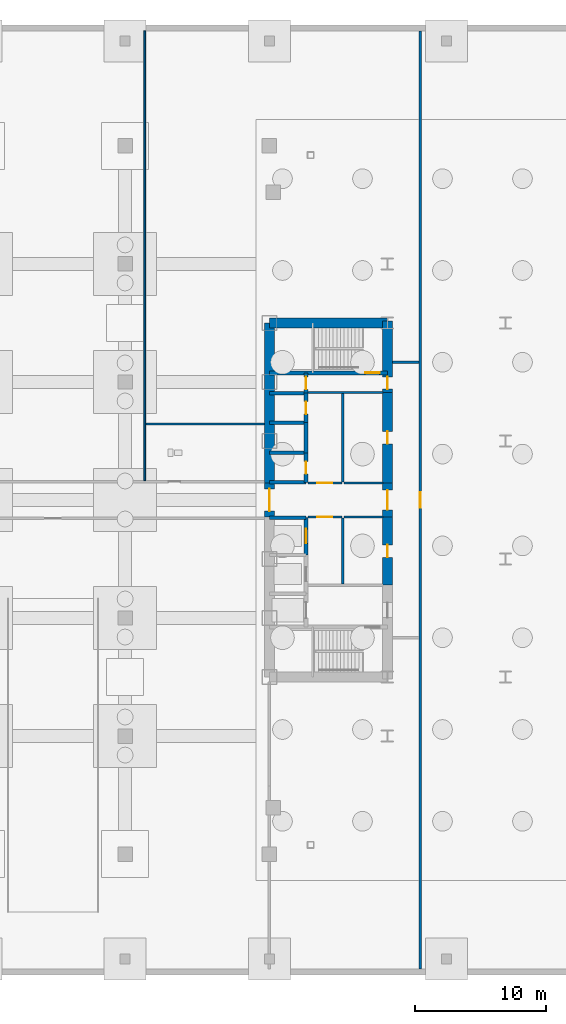
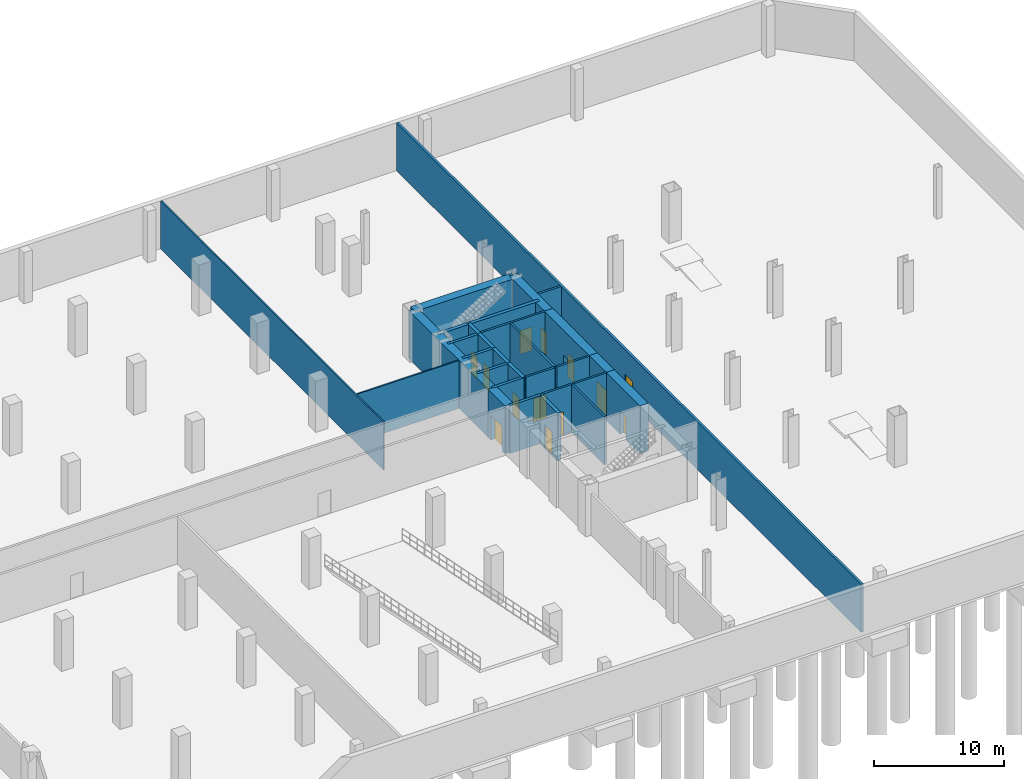
# One storey, part 14 of 18: 29 walls, 13 doors, 13 openings.
"""IFC4 building model written with IfcOpenShell, lengths in metres."""

from ifc_helpers import new_model, si_unit, direction, frame, frame_2d, origin, place, context, subcontext, project, spatial, rectangle, extrude, source, transform, mapped, material, layer, layer_set, type_object, type_shapes, element, fill, save


model = new_model("IFC4")

# Units and contexts
model_context = context("Model", 3, precision=1e-05, world=origin(), true_north=direction((0.0, 1.0)))
body_context = subcontext(model_context, "Body", "Model", "MODEL_VIEW")
ifc_project = project(units=[si_unit("LENGTHUNIT", "METRE"), si_unit("AREAUNIT", "SQUARE_METRE"), si_unit("VOLUMEUNIT", "CUBIC_METRE"), si_unit("PLANEANGLEUNIT", "RADIAN"), si_unit("MASSUNIT", "GRAM", prefix="KILO")], contexts=[model_context])

# Site, building, storey
site_placement = place(None, origin())
site = spatial("IfcSite", under=ifc_project, at=site_placement, CompositionType="ELEMENT")
building_placement = place(site_placement, origin())
building = spatial("IfcBuilding", under=site, at=building_placement, Name="Seokmaru Belvedere", CompositionType="ELEMENT")
storey_placement = place(building_placement, frame((0.0, 0.0, -9.60009765625)))
storey = spatial("IfcBuildingStorey", under=building, at=storey_placement, Name="B2", CompositionType="ELEMENT", Elevation=-9.60009765625)

# Walls
ifc_material_1 = material(Name="Fire-Rated Gypsum Shaftwall")
ifc_layer_1 = layer(ifc_material_1, 0.179931640625)
ifc_layer_set_1 = layer_set([ifc_layer_1], Name="Fire-Rated Gypsum Shaftwall")
wall_type_1 = type_object("IfcWallType", Name="Core Service Fire Partition 180", PredefinedType="PARTITIONING", material=ifc_layer_set_1)
wall_1_placement = place(storey_placement, frame((30.449951171875, 8.199951171875, 0.0), z_axis=(0.0, 0.0, 1.0), x_axis=(1.0, 0.0, 0.0)))
element("IfcWall", 1, at=wall_1_placement, inside=storey, type_object=wall_type_1, Name="B2 East Smokeproof Vestibule Partition", PredefinedType="PARTITIONING", context=body_context, shape_type="SweptSolid", body=[
    extrude(rectangle(XDim=5.699951171875, YDim=0.179931640625, at=frame_2d((2.85009765625, 0.0))), origin(), (0.0, 0.0, 1.0), 4.5),
])
wall_2_placement = place(storey_placement, frame((33.10009765625, -6.419921875, 0.0), z_axis=(0.0, 0.0, 1.0), x_axis=(0.0, 1.0, 0.0)))
element("IfcWall", 2, at=wall_2_placement, inside=storey, type_object=wall_type_1, Name="B2 East South Core Service Back Wall", PredefinedType="PARTITIONING", context=body_context, shape_type="SweptSolid", body=[
    extrude(rectangle(XDim=5.0400390625, YDim=0.179931640625, at=frame_2d((2.52001953125, 0.0))), origin(), (0.0, 0.0, 1.0), 4.5),
])
wall_3_placement = place(storey_placement, frame((33.10009765625, 1.3798828125, 0.0), z_axis=(0.0, 0.0, 1.0), x_axis=(0.0, 1.0, 0.0)))
element("IfcWall", 3, at=wall_3_placement, inside=storey, type_object=wall_type_1, Name="B2 East North Core Service Back Wall", PredefinedType="PARTITIONING", context=body_context, shape_type="SweptSolid", body=[
    extrude(rectangle(XDim=6.740234375, YDim=0.179931640625, at=frame_2d((3.3701171875, 0.0))), origin(), (0.0, 0.0, 1.0), 4.5),
])

# Wall, opening, door
wall_4_placement = place(storey_placement, frame((30.449951171875, -1.300048828125, 0.0), z_axis=(0.0, 0.0, 1.0), x_axis=(1.0, 0.0, 0.0)))
wall_4 = element("IfcWall", 4, at=wall_4_placement, inside=storey, type_object=wall_type_1, Name="B2 East South Lift Lobby Foyer Wall", PredefinedType="PARTITIONING", context=body_context, shape_type="SweptSolid", body=[
    extrude(rectangle(XDim=2.570068359375, YDim=0.179931640625, at=frame_2d((1.28515625, 0.0))), origin(), (0.0, 0.0, 1.0), 4.5),
])
opening_1_placement = place(wall_4_placement, frame((0.7099609375, 0.0, 0.0)))
opening_1 = element("IfcOpeningElement", 5, at=opening_1_placement, cuts=wall_4, Name="Opening D02", PredefinedType="OPENING", context=body_context, shape_type="SweptSolid", body=[
    extrude(rectangle(XDim=1.14990234375, YDim=2.199951171875, at=frame_2d((0.574951171875, 1.10009765625))), frame((0.0, 0.10009765625, 0.0), z_axis=(0.0, -1.0, 0.0), x_axis=(1.0, 0.0, 0.0)), (0.0, 0.0, 1.0), 0.199951171875),
])
ifc_material_2 = material(Name="Fire-Rated Steel Leaf", Category="steel")
door_type_1 = type_object("IfcDoorType", Name="Lobby and Vestibule Fire Door 1150x2200", OperationType="NOTDEFINED", PredefinedType="DOOR", material=ifc_material_2)
shared_shape_1 = source(origin(), body_context, "Body", "SweptSolid", [
    extrude(rectangle(XDim=1.14990234375, YDim=2.199951171875, at=frame_2d((0.574951171875, 1.10009765625))), frame((0.0, 0.02490234375, 0.0), z_axis=(0.0, -1.0, 0.0), x_axis=(1.0, 0.0, 0.0)), (0.0, 0.0, 1.0), 0.050048828125),
])
type_shapes(door_type_1, [shared_shape_1])
door_1_placement = place(opening_1_placement, origin())
door_1 = element("IfcDoor", 6, at=door_1_placement, inside=storey, type_object=door_type_1, Name="B2 East South Core Foyer Door", OperationType="SINGLE_SWING_RIGHT", OverallHeight=2.199951171875, OverallWidth=1.14990234375, PredefinedType="DOOR", context=body_context, shape_type="MappedRepresentation", body=[
    mapped(shared_shape_1, transform((0.0, 0.0, 0.0), scale=1.0)),
])
fill(opening_1, door_1)

wall_5_placement = place(storey_placement, frame((30.449951171875, 1.300048828125, 0.0), z_axis=(0.0, 0.0, 1.0), x_axis=(1.0, 0.0, 0.0)))
wall_5 = element("IfcWall", 7, at=wall_5_placement, inside=storey, type_object=wall_type_1, Name="B2 East North Lift Lobby Foyer Wall", PredefinedType="PARTITIONING", context=body_context, shape_type="SweptSolid", body=[
    extrude(rectangle(XDim=2.570068359375, YDim=0.179931640625, at=frame_2d((1.28515625, 0.0))), origin(), (0.0, 0.0, 1.0), 4.5),
])
opening_2_placement = place(wall_5_placement, frame((0.7099609375, 0.0, 0.0)))
opening_2 = element("IfcOpeningElement", 8, at=opening_2_placement, cuts=wall_5, Name="Opening D02", PredefinedType="OPENING", context=body_context, shape_type="SweptSolid", body=[
    extrude(rectangle(XDim=1.14990234375, YDim=2.199951171875, at=frame_2d((0.574951171875, 1.10009765625))), frame((0.0, 0.10009765625, 0.0), z_axis=(0.0, -1.0, 0.0), x_axis=(1.0, 0.0, 0.0)), (0.0, 0.0, 1.0), 0.199951171875),
])
door_2_placement = place(opening_2_placement, origin())
door_2 = element("IfcDoor", 9, at=door_2_placement, inside=storey, type_object=door_type_1, Name="B2 East North Lift Lobby Door", OperationType="SINGLE_SWING_LEFT", OverallHeight=2.199951171875, OverallWidth=1.14990234375, PredefinedType="DOOR", context=body_context, shape_type="MappedRepresentation", body=[
    mapped(shared_shape_1, transform((0.0, 0.0, 0.0), scale=1.0)),
])
fill(opening_2, door_2)

# Walls
for number, where, z_axis, x_axis, name in (
    (10, (33.199951171875, -1.300048828125, 0.0), (0.0, 0.0, 1.0), (1.0, 0.0, 0.0), "B2 East Foyer Side Wall S"),
    (11, (33.199951171875, 1.300048828125, 0.0), (0.0, 0.0, 1.0), (1.0, 0.0, 0.0), "B2 East Foyer Side Wall N"),
):
    element("IfcWall", number, at=place(storey_placement, frame(where, z_axis=z_axis, x_axis=x_axis)), inside=storey, type_object=wall_type_1, Name=name, PredefinedType="PARTITIONING", context=body_context, shape_type="SweptSolid", body=[
        extrude(rectangle(XDim=2.949951171875, YDim=0.179931640625, at=frame_2d((1.47509765625, 0.0))), origin(), (0.0, 0.0, 1.0), 4.5),
    ])
ifc_material_3 = material(Name="Concrete C50 (50 MPa)", Category="concrete")
ifc_layer_2 = layer(ifc_material_3, 0.25)
ifc_layer_set_2 = layer_set([ifc_layer_2], Name="Concrete C50 (50 MPa)")
wall_type_2 = type_object("IfcWallType", Name="Hoistway Transverse Concrete Divider Wall 250", PredefinedType="SHEAR", material=ifc_layer_set_2)
for number, where, z_axis, x_axis, name in (
    (12, (27.5, -1.35009765625, 0.0), (0.0, 0.0, 1.0), (1.0, 0.0, 0.0), "B2 East Hoistway Divider Core Wall 3"),
    (13, (27.5, 1.35009765625, 0.0), (0.0, 0.0, 1.0), (1.0, 0.0, 0.0), "B2 East Hoistway Divider Core Wall 4"),
    (14, (27.5, 3.60009765625, 0.0), (0.0, 0.0, 1.0), (1.0, 0.0, 0.0), "B2 East Hoistway Divider Core Wall 5"),
    (15, (27.5, 5.89990234375, 0.0), (0.0, 0.0, 1.0), (1.0, 0.0, 0.0), "B2 East Hoistway Divider Core Wall 6"),
    (16, (27.5, 8.14990234375, 0.0), (0.0, 0.0, 1.0), (1.0, 0.0, 0.0), "B2 East Hoistway Divider Core Wall 7"),
):
    element("IfcWall", number, at=place(storey_placement, frame(where, z_axis=z_axis, x_axis=x_axis)), inside=storey, type_object=wall_type_2, Name=name, PredefinedType="SHEAR", context=body_context, shape_type="SweptSolid", body=[
        extrude(rectangle(XDim=2.800048828125, YDim=0.25, at=frame_2d((1.39990234375, 0.0))), origin(), (0.0, 0.0, 1.0), 4.5),
    ])
ifc_layer_3 = layer(ifc_material_1, 0.199951171875)
ifc_layer_set_3 = layer_set([ifc_layer_3], Name="Fire-Rated Gypsum Shaftwall")
wall_type_3 = type_object("IfcWallType", Name="Inter-Tenancy Fire Compartment Partition 200", PredefinedType="PARTITIONING", material=ifc_layer_set_3)
wall_6_placement = place(storey_placement, frame((36.8798828125, 10.5, 0.0), z_axis=(0.0, 0.0, 1.0), x_axis=(1.0, 0.0, 0.0)))
element("IfcWall", 17, at=wall_6_placement, inside=storey, type_object=wall_type_3, Name="B2 Interior Partition 007", PredefinedType="PARTITIONING", context=body_context, shape_type="SweptSolid", body=[
    extrude(rectangle(XDim=2.03515625, YDim=0.199951171875, at=frame_2d((1.017578125, 0.0))), origin(), (0.0, 0.0, 1.0), 4.5),
])

# Wall, opening, door
wall_7_placement = place(storey_placement, frame((39.0, -35.77001953125, 0.0), z_axis=(0.0, 0.0, 1.0), x_axis=(0.0, 1.0, 0.0)))
wall_7 = element("IfcWall", 18, at=wall_7_placement, inside=storey, type_object=wall_type_3, Name="B2 Interior Partition 014", PredefinedType="PARTITIONING", context=body_context, shape_type="SweptSolid", body=[
    extrude(rectangle(XDim=71.5400390625, YDim=0.199951171875, at=frame_2d((35.77001953125, 0.0))), origin(), (0.0, 0.0, 1.0), 4.5),
])
opening_3_placement = place(wall_7_placement, frame((35.195068359375, 0.0, 0.0)))
opening_3 = element("IfcOpeningElement", 19, at=opening_3_placement, cuts=wall_7, Name="Opening D02", PredefinedType="OPENING", context=body_context, shape_type="SweptSolid", body=[
    extrude(rectangle(XDim=1.14990234375, YDim=2.199951171875, at=frame_2d((0.574951171875, 1.10009765625))), frame((0.0, 0.10986328125, 0.0), z_axis=(0.0, -1.0, 0.0), x_axis=(1.0, 0.0, 0.0)), (0.0, 0.0, 1.0), 0.219970703125),
])
door_3_placement = place(opening_3_placement, origin())
door_3 = element("IfcDoor", 20, at=door_3_placement, inside=storey, type_object=door_type_1, Name="B2 Interior Door 002", OperationType="SINGLE_SWING_RIGHT", OverallHeight=2.199951171875, OverallWidth=1.14990234375, PredefinedType="DOOR", context=body_context, shape_type="MappedRepresentation", body=[
    mapped(shared_shape_1, transform((0.0, 0.0, 0.0), scale=1.0)),
])
fill(opening_3, door_3)

ifc_layer_4 = layer(ifc_material_3, 0.300048828125)
ifc_layer_set_4 = layer_set([ifc_layer_4], Name="Concrete C50 (50 MPa)")
wall_type_4 = type_object("IfcWallType", Name="Internal Core Stair and Hoistway Wall 300", PredefinedType="SHEAR", material=ifc_layer_set_4)
wall_8_placement = place(storey_placement, frame((27.5, 9.699951171875, 0.0), z_axis=(0.0, 0.0, 1.0), x_axis=(1.0, 0.0, 0.0)))
wall_8 = element("IfcWall", 21, at=wall_8_placement, inside=storey, type_object=wall_type_4, Name="B2 East Stair ST-2 Enclosure Wall", PredefinedType="SHEAR", context=body_context, shape_type="SweptSolid", body=[
    extrude(rectangle(XDim=9.0, YDim=0.300048828125, at=frame_2d((4.5, 0.0))), origin(), (0.0, 0.0, 1.0), 4.5),
])
opening_4_placement = place(wall_8_placement, frame((7.300048828125, 0.0, 0.0)))
opening_4 = element("IfcOpeningElement", 22, at=opening_4_placement, cuts=wall_8, Name="Opening D01", PredefinedType="OPENING", context=body_context, shape_type="SweptSolid", body=[
    extrude(rectangle(XDim=1.10009765625, YDim=2.199951171875, at=frame_2d((0.550048828125, 1.10009765625))), frame((0.0, 0.16015625, 0.0), z_axis=(0.0, -1.0, 0.0), x_axis=(1.0, 0.0, 0.0)), (0.0, 0.0, 1.0), 0.320068359375),
])
door_type_2 = type_object("IfcDoorType", Name="Special Escape Stair Smokeproof Fire Door 1100x2200", OperationType="NOTDEFINED", PredefinedType="DOOR", material=ifc_material_2)
shared_shape_2 = source(origin(), body_context, "Body", "SweptSolid", [
    extrude(rectangle(XDim=1.10009765625, YDim=2.199951171875, at=frame_2d((0.550048828125, 1.10009765625))), frame((0.0, 0.02490234375, 0.0), z_axis=(0.0, -1.0, 0.0), x_axis=(1.0, 0.0, 0.0)), (0.0, 0.0, 1.0), 0.050048828125),
])
type_shapes(door_type_2, [shared_shape_2])
door_4_placement = place(opening_4_placement, origin())
door_4 = element("IfcDoor", 23, at=door_4_placement, inside=storey, type_object=door_type_2, Name="B2 East Special Escape Stair ST-2 Door", OperationType="SINGLE_SWING_LEFT", OverallHeight=2.199951171875, OverallWidth=1.10009765625, PredefinedType="DOOR", context=body_context, shape_type="MappedRepresentation", body=[
    mapped(shared_shape_2, transform((0.0, 0.0, 0.0), scale=1.0)),
])
fill(opening_4, door_4)

wall_9_placement = place(storey_placement, frame((30.300048828125, -4.199951171875, 0.0), z_axis=(0.0, 0.0, 1.0), x_axis=(0.0, 1.0, 0.0)))
wall_9 = element("IfcWall", 24, at=wall_9_placement, inside=storey, type_object=wall_type_4, Name="B2 East Low-Rise Lift PL-2 Front Wall", PredefinedType="SHEAR", context=body_context, shape_type="SweptSolid", body=[
    extrude(rectangle(XDim=2.8798828125, YDim=0.300048828125, at=frame_2d((1.43994140625, 0.0))), origin(), (0.0, 0.0, 1.0), 4.5),
])
opening_5_placement = place(wall_9_placement, frame((0.889892578125, 0.0, 0.0)))
opening_5 = element("IfcOpeningElement", 25, at=opening_5_placement, cuts=wall_9, Name="Opening LD1", PredefinedType="OPENING", context=body_context, shape_type="SweptSolid", body=[
    extrude(rectangle(XDim=1.10009765625, YDim=2.199951171875, at=frame_2d((0.550048828125, 1.10009765625))), frame((0.0, 0.16015625, 0.0), z_axis=(0.0, -1.0, 0.0), x_axis=(1.0, 0.0, 0.0)), (0.0, 0.0, 1.0), 0.320068359375),
])
ifc_material_4 = material(Name="Stainless Steel 316", Category="steel")
door_type_3 = type_object("IfcDoorType", Name="Passenger Lift Sliding Landing Door 1100x2200", OperationType="DOUBLE_DOOR_SLIDING", PredefinedType="DOOR", material=ifc_material_4)
shared_shape_3 = source(origin(), body_context, "Body", "SweptSolid", [
    extrude(rectangle(XDim=1.10009765625, YDim=2.199951171875, at=frame_2d((0.550048828125, 1.10009765625))), frame((0.0, 0.02490234375, 0.0), z_axis=(0.0, -1.0, 0.0), x_axis=(1.0, 0.0, 0.0)), (0.0, 0.0, 1.0), 0.050048828125),
])
type_shapes(door_type_3, [shared_shape_3])
door_5_placement = place(opening_5_placement, origin())
door_5 = element("IfcDoor", 26, at=door_5_placement, inside=storey, type_object=door_type_3, Name="B2 East Low-Rise Lift PL-2 Landing Door", OperationType="DOUBLE_DOOR_SLIDING", OverallHeight=2.199951171875, OverallWidth=1.10009765625, PredefinedType="DOOR", context=body_context, shape_type="MappedRepresentation", body=[
    mapped(shared_shape_3, transform((0.0, 0.0, 0.0), scale=1.0)),
])
fill(opening_5, door_5)

wall_10_placement = place(storey_placement, frame((30.300048828125, 1.320068359375, 0.0), z_axis=(0.0, 0.0, 1.0), x_axis=(0.0, 1.0, 0.0)))
wall_10 = element("IfcWall", 27, at=wall_10_placement, inside=storey, type_object=wall_type_4, Name="B2 East North Hoistway Wall PH1", PredefinedType="SHEAR", context=body_context, shape_type="SweptSolid", body=[
    extrude(rectangle(XDim=2.280029296875, YDim=0.300048828125, at=frame_2d((1.14013671875, 0.0))), origin(), (0.0, 0.0, 1.0), 4.5),
])
opening_6_placement = place(wall_10_placement, frame((0.6650390625, 0.0, 0.0)))
opening_6 = element("IfcOpeningElement", 28, at=opening_6_placement, cuts=wall_10, Name="Opening D04", PredefinedType="OPENING", context=body_context, shape_type="SweptSolid", body=[
    extrude(rectangle(XDim=0.949951171875, YDim=2.14990234375, at=frame_2d((0.47509765625, 1.074951171875))), frame((0.0, 0.16015625, 0.0), z_axis=(0.0, -1.0, 0.0), x_axis=(1.0, 0.0, 0.0)), (0.0, 0.0, 1.0), 0.320068359375),
])
door_type_4 = type_object("IfcDoorType", Name="Core Service Room Fire Door 950x2150", OperationType="NOTDEFINED", PredefinedType="DOOR", material=ifc_material_2)
shared_shape_4 = source(origin(), body_context, "Body", "SweptSolid", [
    extrude(rectangle(XDim=0.949951171875, YDim=2.14990234375, at=frame_2d((0.47509765625, 1.074951171875))), frame((0.0, 0.02490234375, 0.0), z_axis=(0.0, -1.0, 0.0), x_axis=(1.0, 0.0, 0.0)), (0.0, 0.0, 1.0), 0.050048828125),
])
type_shapes(door_type_4, [shared_shape_4])
door_6_placement = place(opening_6_placement, origin())
door_6 = element("IfcDoor", 29, at=door_6_placement, inside=storey, type_object=door_type_4, Name="B2 East Telecom Room Door", OperationType="SINGLE_SWING_RIGHT", OverallHeight=2.14990234375, OverallWidth=0.949951171875, PredefinedType="DOOR", context=body_context, shape_type="MappedRepresentation", body=[
    mapped(shared_shape_4, transform((0.0, 0.0, 0.0), scale=1.0)),
])
fill(opening_6, door_6)

# Wall
wall_11_placement = place(storey_placement, frame((30.300048828125, 3.60009765625, 0.0), z_axis=(0.0, 0.0, 1.0), x_axis=(0.0, 1.0, 0.0)))
element("IfcWall", 30, at=wall_11_placement, inside=storey, type_object=wall_type_4, Name="B2 East North Hoistway Wall PH2", PredefinedType="SHEAR", context=body_context, shape_type="SweptSolid", body=[
    extrude(rectangle(XDim=2.2998046875, YDim=0.300048828125, at=frame_2d((1.14990234375, 0.0))), origin(), (0.0, 0.0, 1.0), 4.5),
])

# Wall, opening, door
wall_12_placement = place(storey_placement, frame((30.300048828125, 5.89990234375, 0.0), z_axis=(0.0, 0.0, 1.0), x_axis=(0.0, 1.0, 0.0)))
wall_12 = element("IfcWall", 31, at=wall_12_placement, inside=storey, type_object=wall_type_4, Name="B2 East North Hoistway Wall OBS", PredefinedType="SHEAR", context=body_context, shape_type="SweptSolid", body=[
    extrude(rectangle(XDim=2.25, YDim=0.300048828125, at=frame_2d((1.125, 0.0))), origin(), (0.0, 0.0, 1.0), 4.5),
])
opening_7_placement = place(wall_12_placement, frame((0.64501953125, 0.0, 0.0)))
opening_7 = element("IfcOpeningElement", 32, at=opening_7_placement, cuts=wall_12, Name="Opening D04", PredefinedType="OPENING", context=body_context, shape_type="SweptSolid", body=[
    extrude(rectangle(XDim=0.949951171875, YDim=2.14990234375, at=frame_2d((0.47509765625, 1.074951171875))), frame((0.0, 0.16015625, 0.0), z_axis=(0.0, -1.0, 0.0), x_axis=(1.0, 0.0, 0.0)), (0.0, 0.0, 1.0), 0.320068359375),
])
door_7_placement = place(opening_7_placement, origin())
door_7 = element("IfcDoor", 33, at=door_7_placement, inside=storey, type_object=door_type_4, Name="B2 East Hydronic Riser Door", OperationType="SINGLE_SWING_LEFT", OverallHeight=2.14990234375, OverallWidth=0.949951171875, PredefinedType="DOOR", context=body_context, shape_type="MappedRepresentation", body=[
    mapped(shared_shape_4, transform((0.0, 0.0, 0.0), scale=1.0)),
])
fill(opening_7, door_7)

wall_13_placement = place(storey_placement, frame((30.300048828125, 8.14990234375, 0.0), z_axis=(0.0, 0.0, 1.0), x_axis=(0.0, 1.0, 0.0)))
wall_13 = element("IfcWall", 34, at=wall_13_placement, inside=storey, type_object=wall_type_4, Name="B2 East Electrical Riser Front Wall", PredefinedType="SHEAR", context=body_context, shape_type="SweptSolid", body=[
    extrude(rectangle(XDim=1.530029296875, YDim=0.300048828125, at=frame_2d((0.76513671875, 0.0))), origin(), (0.0, 0.0, 1.0), 4.5),
])
opening_8_placement = place(wall_13_placement, frame((0.284912109375, 0.0, 0.0)))
opening_8 = element("IfcOpeningElement", 35, at=opening_8_placement, cuts=wall_13, Name="Opening D04", PredefinedType="OPENING", context=body_context, shape_type="SweptSolid", body=[
    extrude(rectangle(XDim=0.949951171875, YDim=2.14990234375, at=frame_2d((0.47509765625, 1.074951171875))), frame((0.0, 0.16015625, 0.0), z_axis=(0.0, -1.0, 0.0), x_axis=(1.0, 0.0, 0.0)), (0.0, 0.0, 1.0), 0.320068359375),
])
door_8_placement = place(opening_8_placement, origin())
door_8 = element("IfcDoor", 36, at=door_8_placement, inside=storey, type_object=door_type_4, Name="B2 East Electrical Riser Access Door", OperationType="SINGLE_SWING_RIGHT", OverallHeight=2.14990234375, OverallWidth=0.949951171875, PredefinedType="DOOR", context=body_context, shape_type="MappedRepresentation", body=[
    mapped(shared_shape_4, transform((0.0, 0.0, 0.0), scale=1.0)),
])
fill(opening_8, door_8)

# Wall
ifc_material_5 = material(Name="Concrete C60 (60 MPa)", Category="concrete")
ifc_layer_5 = layer(ifc_material_5, 0.75)
ifc_layer_set_5 = layer_set([ifc_layer_5], Name="Concrete C60 (60 MPa)")
wall_type_5 = type_object("IfcWallType", Name="Lower Tower Reinforced Concrete Core Wall 750", PredefinedType="SHEAR", material=ifc_layer_set_5)
wall_14_placement = place(storey_placement, frame((27.5, 1.300048828125, 0.0), z_axis=(0.0, 0.0, 1.0), x_axis=(0.0, 1.0, 0.0)))
element("IfcWall", 37, at=wall_14_placement, inside=storey, type_object=wall_type_5, Name="B2 East Portal Spine Core Wall North", PredefinedType="SHEAR", context=body_context, shape_type="SweptSolid", body=[
    extrude(rectangle(XDim=12.199951171875, YDim=0.75, at=frame_2d((6.10009765625, 0.0))), origin(), (0.0, 0.0, 1.0), 4.5),
])

# Wall, opening, door
wall_15_placement = place(storey_placement, frame((27.5, -1.300048828125, 0.0), z_axis=(0.0, 0.0, 1.0), x_axis=(0.0, 1.0, 0.0)))
wall_15 = element("IfcWall", 38, at=wall_15_placement, inside=storey, type_object=wall_type_5, Name="B2 East Portal Spine Core Wall Center", PredefinedType="SHEAR", context=body_context, shape_type="SweptSolid", body=[
    extrude(rectangle(XDim=2.60009765625, YDim=0.75, at=frame_2d((1.300048828125, 0.0))), origin(), (0.0, 0.0, 1.0), 4.5),
])
opening_9_placement = place(wall_15_placement, frame((0.449951171875, 0.0, 0.0)))
opening_9 = element("IfcOpeningElement", 39, at=opening_9_placement, cuts=wall_15, Name="Opening D09", PredefinedType="OPENING", context=body_context, shape_type="SweptSolid", body=[
    extrude(rectangle(XDim=1.699951171875, YDim=2.35009765625, at=frame_2d((0.85009765625, 1.175048828125))), frame((0.0, 0.385009765625, 0.0), z_axis=(0.0, -1.0, 0.0), x_axis=(1.0, 0.0, 0.0)), (0.0, 0.0, 1.0), 0.77001953125),
])
door_type_5 = type_object("IfcDoorType", Name="Sky-Gate Bridge Inter-Tower Fire Door 1700x2350", OperationType="DOUBLE_SWING_LEFT", PredefinedType="DOOR", material=ifc_material_2)
shared_shape_5 = source(origin(), body_context, "Body", "SweptSolid", [
    extrude(rectangle(XDim=1.699951171875, YDim=2.35009765625, at=frame_2d((0.85009765625, 1.175048828125))), frame((0.0, 0.02490234375, 0.0), z_axis=(0.0, -1.0, 0.0), x_axis=(1.0, 0.0, 0.0)), (0.0, 0.0, 1.0), 0.050048828125),
])
type_shapes(door_type_5, [shared_shape_5])
door_9_placement = place(opening_9_placement, origin())
door_9 = element("IfcDoor", 40, at=door_9_placement, inside=storey, type_object=door_type_5, Name="B2 East Inter-Tower Fire Door", OperationType="DOUBLE_SWING_LEFT", OverallHeight=2.35009765625, OverallWidth=1.699951171875, PredefinedType="DOOR", context=body_context, shape_type="MappedRepresentation", body=[
    mapped(shared_shape_5, transform((0.0, 0.0, 0.0), scale=1.0)),
])
fill(opening_9, door_9)

# Wall
wall_16_placement = place(storey_placement, frame((27.5, 13.5, 0.0), z_axis=(0.0, 0.0, 1.0), x_axis=(1.0, 0.0, 0.0)))
element("IfcWall", 41, at=wall_16_placement, inside=storey, type_object=wall_type_5, Name="B2 East North Core Wall", PredefinedType="SHEAR", context=body_context, shape_type="SweptSolid", body=[
    extrude(rectangle(XDim=9.0, YDim=0.75, at=frame_2d((4.5, 0.0))), origin(), (0.0, 0.0, 1.0), 4.5),
])

# Wall, opening, door
wall_17_placement = place(storey_placement, frame((36.5, -1.300048828125, 0.0), z_axis=(0.0, 0.0, 1.0), x_axis=(0.0, 1.0, 0.0)))
wall_17 = element("IfcWall", 42, at=wall_17_placement, inside=storey, type_object=wall_type_5, Name="B2 East West Core Wall FOY", PredefinedType="SHEAR", context=body_context, shape_type="SweptSolid", body=[
    extrude(rectangle(XDim=2.60009765625, YDim=0.75, at=frame_2d((1.300048828125, 0.0))), origin(), (0.0, 0.0, 1.0), 4.5),
])
opening_10_placement = place(wall_17_placement, frame((0.550048828125, 0.0, 0.0)))
opening_10 = element("IfcOpeningElement", 43, at=opening_10_placement, cuts=wall_17, Name="Opening D08", PredefinedType="OPENING", context=body_context, shape_type="SweptSolid", body=[
    extrude(rectangle(XDim=1.5, YDim=2.300048828125, at=frame_2d((0.75, 1.14990234375))), frame((0.0, 0.385009765625, 0.0), z_axis=(0.0, -1.0, 0.0), x_axis=(1.0, 0.0, 0.0)), (0.0, 0.0, 1.0), 0.77001953125),
])
door_type_6 = type_object("IfcDoorType", Name="Cross-Corridor Compartment Double Fire Door 1500x2300", OperationType="DOUBLE_SWING_LEFT", PredefinedType="DOOR", material=ifc_material_2)
shared_shape_6 = source(origin(), body_context, "Body", "SweptSolid", [
    extrude(rectangle(XDim=1.5, YDim=2.300048828125, at=frame_2d((0.75, 1.14990234375))), frame((0.0, 0.02490234375, 0.0), z_axis=(0.0, -1.0, 0.0), x_axis=(1.0, 0.0, 0.0)), (0.0, 0.0, 1.0), 0.050048828125),
])
type_shapes(door_type_6, [shared_shape_6])
door_10_placement = place(opening_10_placement, origin())
door_10 = element("IfcDoor", 44, at=door_10_placement, inside=storey, type_object=door_type_6, Name="B2 East Core Foyer Compartment Door", OperationType="DOUBLE_SWING_LEFT", OverallHeight=2.300048828125, OverallWidth=1.5, PredefinedType="DOOR", context=body_context, shape_type="MappedRepresentation", body=[
    mapped(shared_shape_6, transform((0.0, 0.0, 0.0), scale=1.0)),
])
fill(opening_10, door_10)

wall_18_placement = place(storey_placement, frame((36.5, 8.199951171875, 0.0), z_axis=(0.0, 0.0, 1.0), x_axis=(0.0, 1.0, 0.0)))
wall_18 = element("IfcWall", 45, at=wall_18_placement, inside=storey, type_object=wall_type_5, Name="B2 East West Core Wall VST", PredefinedType="SHEAR", context=body_context, shape_type="SweptSolid", body=[
    extrude(rectangle(XDim=5.449951171875, YDim=0.75, at=frame_2d((2.72509765625, 0.0))), origin(), (0.0, 0.0, 1.0), 4.5),
])
opening_11_placement = place(wall_18_placement, frame((0.2451171875, 0.0, 0.0)))
opening_11 = element("IfcOpeningElement", 46, at=opening_11_placement, cuts=wall_18, Name="Opening D04", PredefinedType="OPENING", context=body_context, shape_type="SweptSolid", body=[
    extrude(rectangle(XDim=0.949951171875, YDim=2.14990234375, at=frame_2d((0.47509765625, 1.074951171875))), frame((0.0, 0.385009765625, 0.0), z_axis=(0.0, -1.0, 0.0), x_axis=(1.0, 0.0, 0.0)), (0.0, 0.0, 1.0), 0.77001953125),
])
door_11_placement = place(opening_11_placement, origin())
door_11 = element("IfcDoor", 47, at=door_11_placement, inside=storey, type_object=door_type_4, Name="B2 East Smokeproof Vestibule Door", OperationType="SINGLE_SWING_LEFT", OverallHeight=2.14990234375, OverallWidth=0.949951171875, PredefinedType="DOOR", context=body_context, shape_type="MappedRepresentation", body=[
    mapped(shared_shape_4, transform((0.0, 0.0, 0.0), scale=1.0)),
])
fill(opening_11, door_11)

wall_19_placement = place(storey_placement, frame((36.5, -6.5, 0.0), z_axis=(0.0, 0.0, 1.0), x_axis=(0.0, 1.0, 0.0)))
wall_19 = element("IfcWall", 48, at=wall_19_placement, inside=storey, type_object=wall_type_5, Name="B2 East West Core Wall CS1", PredefinedType="SHEAR", context=body_context, shape_type="SweptSolid", body=[
    extrude(rectangle(XDim=5.199951171875, YDim=0.75, at=frame_2d((2.60009765625, 0.0))), origin(), (0.0, 0.0, 1.0), 4.5),
])
opening_12_placement = place(wall_19_placement, frame((2.125, 0.0, 0.0)))
opening_12 = element("IfcOpeningElement", 49, at=opening_12_placement, cuts=wall_19, Name="Opening D04", PredefinedType="OPENING", context=body_context, shape_type="SweptSolid", body=[
    extrude(rectangle(XDim=0.949951171875, YDim=2.14990234375, at=frame_2d((0.47509765625, 1.074951171875))), frame((0.0, 0.385009765625, 0.0), z_axis=(0.0, -1.0, 0.0), x_axis=(1.0, 0.0, 0.0)), (0.0, 0.0, 1.0), 0.77001953125),
])
door_12_placement = place(opening_12_placement, origin())
door_12 = element("IfcDoor", 50, at=door_12_placement, inside=storey, type_object=door_type_4, Name="B2 East Core Service Room Door 1", OperationType="SINGLE_SWING_RIGHT", OverallHeight=2.14990234375, OverallWidth=0.949951171875, PredefinedType="DOOR", context=body_context, shape_type="MappedRepresentation", body=[
    mapped(shared_shape_4, transform((0.0, 0.0, 0.0), scale=1.0)),
])
fill(opening_12, door_12)

wall_20_placement = place(storey_placement, frame((36.5, 1.300048828125, 0.0), z_axis=(0.0, 0.0, 1.0), x_axis=(0.0, 1.0, 0.0)))
wall_20 = element("IfcWall", 51, at=wall_20_placement, inside=storey, type_object=wall_type_5, Name="B2 East West Core Wall CS2", PredefinedType="SHEAR", context=body_context, shape_type="SweptSolid", body=[
    extrude(rectangle(XDim=6.89990234375, YDim=0.75, at=frame_2d((3.449951171875, 0.0))), origin(), (0.0, 0.0, 1.0), 4.5),
])
opening_13_placement = place(wall_20_placement, frame((2.97509765625, 0.0, 0.0)))
opening_13 = element("IfcOpeningElement", 52, at=opening_13_placement, cuts=wall_20, Name="Opening D04", PredefinedType="OPENING", context=body_context, shape_type="SweptSolid", body=[
    extrude(rectangle(XDim=0.949951171875, YDim=2.14990234375, at=frame_2d((0.47509765625, 1.074951171875))), frame((0.0, 0.385009765625, 0.0), z_axis=(0.0, -1.0, 0.0), x_axis=(1.0, 0.0, 0.0)), (0.0, 0.0, 1.0), 0.77001953125),
])
door_13_placement = place(opening_13_placement, origin())
door_13 = element("IfcDoor", 53, at=door_13_placement, inside=storey, type_object=door_type_4, Name="B2 East Core Service Room Door 2", OperationType="SINGLE_SWING_LEFT", OverallHeight=2.14990234375, OverallWidth=0.949951171875, PredefinedType="DOOR", context=body_context, shape_type="MappedRepresentation", body=[
    mapped(shared_shape_4, transform((0.0, 0.0, 0.0), scale=1.0)),
])
fill(opening_13, door_13)

# Walls
ifc_layer_6 = layer(ifc_material_1, 0.1298828125)
ifc_layer_set_6 = layer_set([ifc_layer_6], Name="Fire-Rated Gypsum Shaftwall")
wall_type_6 = type_object("IfcWallType", Name="Moisture-Resistant Fire-Rated Bathroom Partition 130", PredefinedType="PARTITIONING", material=ifc_layer_set_6)
wall_21_placement = place(storey_placement, frame((18.0849609375, 5.800048828125, 0.0), z_axis=(0.0, 0.0, 1.0), x_axis=(1.0, 0.0, 0.0)))
element("IfcWall", 54, at=wall_21_placement, inside=storey, type_object=wall_type_6, Name="B2 Interior Partition 005", PredefinedType="PARTITIONING", context=body_context, shape_type="SweptSolid", body=[
    extrude(rectangle(XDim=9.03515625, YDim=0.1298828125, at=frame_2d((4.517578125, 0.0))), origin(), (0.0, 0.0, 1.0), 4.5),
])
wall_22_placement = place(storey_placement, frame((18.0, 1.485107421875, 0.0), z_axis=(0.0, 0.0, 1.0), x_axis=(0.0, 1.0, 0.0)))
element("IfcWall", 55, at=wall_22_placement, inside=storey, type_object=wall_type_6, Name="B2 Interior Partition 012", PredefinedType="PARTITIONING", context=body_context, shape_type="SweptSolid", body=[
    extrude(rectangle(XDim=34.284912109375, YDim=0.1298828125, at=frame_2d((17.142578125, 0.0))), origin(), (0.0, 0.0, 1.0), 4.5),
])

save(model, "model.ifc")
